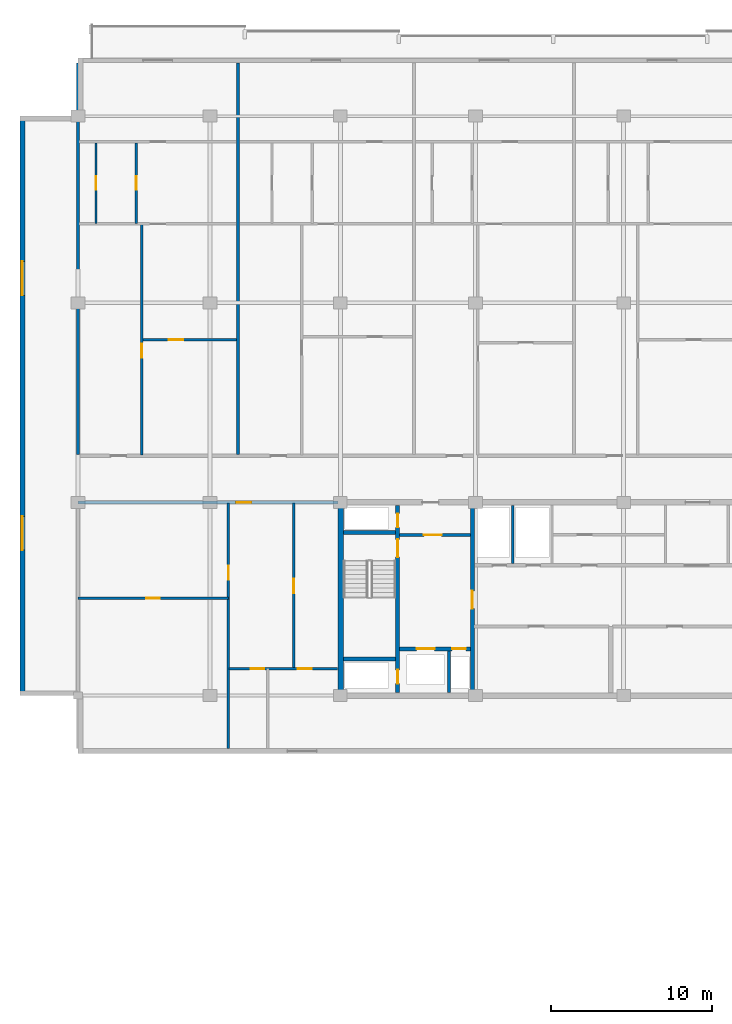
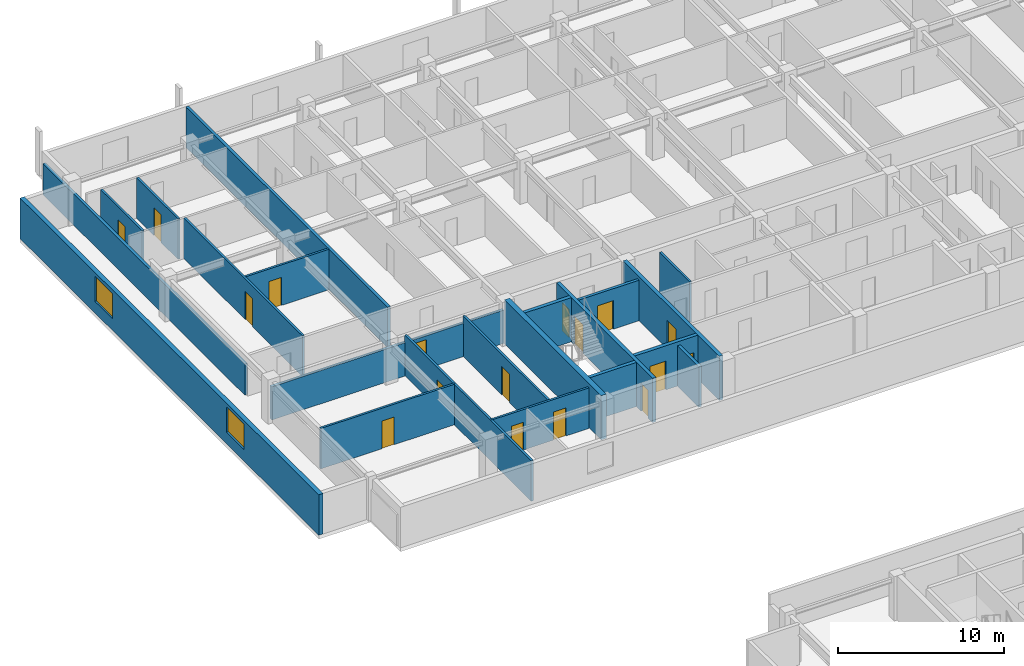
# One storey, part 8 of 17: 21 walls, 17 doors, 2 windows, 19 openings.
"""IFC4 building model written with IfcOpenShell, lengths in metres."""

from ifc_helpers import new_model, si_unit, direction, frame, frame_2d, origin, place, context, subcontext, project, spatial, rectangle, extrude, material, layer, layer_set, type_object, element, fill, save


model = new_model("IFC4")

# Units and contexts
model_context = context("Model", 3, precision=1e-05, world=origin(), true_north=direction((0.0, 1.0)))
body_context = subcontext(model_context, "Body", "Model", "MODEL_VIEW")
ifc_project = project(units=[si_unit("LENGTHUNIT", "METRE"), si_unit("AREAUNIT", "SQUARE_METRE"), si_unit("VOLUMEUNIT", "CUBIC_METRE"), si_unit("PLANEANGLEUNIT", "RADIAN"), si_unit("MASSUNIT", "GRAM", prefix="KILO")], contexts=[model_context])

# Site, building, storey
site_placement = place(None, origin())
site = spatial("IfcSite", under=ifc_project, at=site_placement, CompositionType="ELEMENT")
building_placement = place(site_placement, origin())
building = spatial("IfcBuilding", under=site, at=building_placement, Name="Korimba Cascade Residences", CompositionType="ELEMENT")
storey_placement = place(building_placement, frame((0.0, 0.0, 204.35009765625)))
storey = spatial("IfcBuildingStorey", under=building, at=storey_placement, Name="L59", CompositionType="ELEMENT", Elevation=204.35009765625)

# Wall, openings, windows
ifc_material_1 = material(Name="Precast concrete C40/50", Category="concrete")
ifc_layer_1 = layer(ifc_material_1, 0.300048828125)
ifc_layer_set_1 = layer_set([ifc_layer_1], Name="Precast concrete C40/50")
wall_type_1 = type_object("IfcWallType", Name="EW-STONE-300", PredefinedType="STANDARD", material=ifc_layer_set_1)
wall_1_placement = place(storey_placement, frame((56.35009765625, 91.199951171875, 0.0), z_axis=(0.0, 0.0, 1.0), x_axis=(0.0, -1.0, 0.0)))
wall_1 = element("IfcWall", 1, at=wall_1_placement, inside=storey, type_object=wall_type_1, Name="L59 T1 Perimeter Stone Wall E09", PredefinedType="STANDARD", context=body_context, shape_type="SweptSolid", body=[
    extrude(rectangle(XDim=36.0, YDim=0.300048828125, at=frame_2d((18.0, 0.0))), origin(), (0.0, 0.0, 1.0), 2.97998046875),
])
opening_1_placement = place(wall_1_placement, frame((9.030029296875, 0.0, 0.85009765625)))
opening_1 = element("IfcOpeningElement", 2, at=opening_1_placement, cuts=wall_1, Name="Opening W-03", PredefinedType="OPENING", context=body_context, shape_type="SweptSolid", body=[
    extrude(rectangle(XDim=2.10009765625, YDim=1.85009765625, at=frame_2d((1.050048828125, 0.925048828125))), frame((0.0, 0.16015625, 0.0), z_axis=(0.0, -1.0, 0.0), x_axis=(1.0, 0.0, 0.0)), (0.0, 0.0, 1.0), 0.320068359375),
])
opening_2_placement = place(wall_1_placement, frame((24.8701171875, 0.0, 0.85009765625)))
opening_2 = element("IfcOpeningElement", 3, at=opening_2_placement, cuts=wall_1, Name="Opening W-03", PredefinedType="OPENING", context=body_context, shape_type="SweptSolid", body=[
    extrude(rectangle(XDim=2.10009765625, YDim=1.85009765625, at=frame_2d((1.050048828125, 0.925048828125))), frame((0.0, 0.16015625, 0.0), z_axis=(0.0, -1.0, 0.0), x_axis=(1.0, 0.0, 0.0)), (0.0, 0.0, 1.0), 0.320068359375),
])
ifc_material_2 = material(Name="Double-Glazed Aluminium Window", Category="aluminium")
window_type = type_object("IfcWindowType", Name="WIN-CRN-2100", PartitioningType="DOUBLE_PANEL_HORIZONTAL", PredefinedType="WINDOW", material=ifc_material_2)
window_1_placement = place(opening_1_placement, origin())
window_1 = element("IfcWindow", 4, at=window_1_placement, inside=storey, type_object=window_type, Name="L59 T1 End View Window 9.1", OverallHeight=1.85009765625, OverallWidth=2.10009765625, PartitioningType="DOUBLE_PANEL_HORIZONTAL", PredefinedType="WINDOW", context=body_context, shape_type="SweptSolid", body=[
    extrude(rectangle(XDim=2.10009765625, YDim=1.85009765625, at=frame_2d((1.050048828125, 0.925048828125))), frame((0.0, 0.030029296875, 0.0), z_axis=(0.0, -1.0, 0.0), x_axis=(1.0, 0.0, 0.0)), (0.0, 0.0, 1.0), 0.06005859375),
])
fill(opening_1, window_1)
window_2_placement = place(opening_2_placement, origin())
window_2 = element("IfcWindow", 5, at=window_2_placement, inside=storey, type_object=window_type, Name="L59 T1 End View Window 9.2", OverallHeight=1.85009765625, OverallWidth=2.10009765625, PartitioningType="DOUBLE_PANEL_HORIZONTAL", PredefinedType="WINDOW", context=body_context, shape_type="SweptSolid", body=[
    extrude(rectangle(XDim=2.10009765625, YDim=1.85009765625, at=frame_2d((1.050048828125, 0.925048828125))), frame((0.0, 0.030029296875, 0.0), z_axis=(0.0, -1.0, 0.0), x_axis=(1.0, 0.0, 0.0)), (0.0, 0.0, 1.0), 0.06005859375),
])
fill(opening_2, window_2)

# Wall
ifc_material_3 = material(Name="Concrete C65/80", Category="concrete")
ifc_layer_2 = layer(ifc_material_3, 0.35009765625)
ifc_layer_set_2 = layer_set([ifc_layer_2], Name="Concrete C65/80")
wall_type_2 = type_object("IfcWallType", Name="WAL-CORE-350", PredefinedType="SHEAR", material=ifc_layer_set_2)
wall_2_placement = place(storey_placement, frame((76.125, 55.375, 0.0), z_axis=(0.0, 0.0, 1.0), x_axis=(0.0, 1.0, 0.0)))
element("IfcWall", 6, at=wall_2_placement, inside=storey, type_object=wall_type_2, Name="L59 Core Shear Wall CW-L59-T1-W", PredefinedType="SHEAR", context=body_context, shape_type="SweptSolid", body=[
    extrude(rectangle(XDim=11.64990234375, YDim=0.35009765625, at=frame_2d((5.824951171875, 0.0))), origin(), (0.0, 0.0, 1.0), 3.25),
])

# Wall, opening, door
ifc_layer_3 = layer(ifc_material_1, 0.199951171875)
ifc_layer_set_3 = layer_set([ifc_layer_3], Name="Precast concrete C40/50")
wall_type_3 = type_object("IfcWallType", Name="WAL-IT-200", PredefinedType="PARTITIONING", material=ifc_layer_set_3)
wall_3_placement = place(storey_placement, frame((59.800048828125, 67.199951171875, 0.0), z_axis=(0.0, 0.0, 1.0), x_axis=(1.0, 0.0, 0.0)))
wall_3 = element("IfcWall", 7, at=wall_3_placement, inside=storey, type_object=wall_type_3, Name="L59 Partition Wall WAL-L59-T1-FW-N", PredefinedType="PARTITIONING", context=body_context, shape_type="SweptSolid", body=[
    extrude(rectangle(XDim=16.14990234375, YDim=0.199951171875, at=frame_2d((8.074951171875, 0.0))), origin(), (0.0, 0.0, 1.0), 2.443115234375),
])
opening_3_placement = place(wall_3_placement, frame((9.823486328125, 0.0, 0.0)))
opening_3 = element("IfcOpeningElement", 8, at=opening_3_placement, cuts=wall_3, Name="Opening D-UN1", PredefinedType="OPENING", context=body_context, shape_type="SweptSolid", body=[
    extrude(rectangle(XDim=0.949951171875, YDim=2.14990234375, at=frame_2d((0.47509765625, 1.074951171875))), frame((0.0, 0.10986328125, 0.0), z_axis=(0.0, -1.0, 0.0), x_axis=(1.0, 0.0, 0.0)), (0.0, 0.0, 1.0), 0.219970703125),
])
ifc_material_4 = material(Name="Fire-Rated Hardwood Apartment Entrance Door", Category="wood")
door_type_1 = type_object("IfcDoorType", Name="DR-FD60-950", OperationType="NOTDEFINED", PredefinedType="DOOR", material=ifc_material_4)
door_1_placement = place(opening_3_placement, origin())
door_1 = element("IfcDoor", 9, at=door_1_placement, inside=storey, type_object=door_type_1, Name="L59-T1-FW Entrance Door", OperationType="SINGLE_SWING_RIGHT", OverallHeight=2.14990234375, OverallWidth=0.949951171875, PredefinedType="DOOR", context=body_context, shape_type="SweptSolid", body=[
    extrude(rectangle(XDim=0.949951171875, YDim=2.14990234375, at=frame_2d((0.47509765625, 1.074951171875))), frame((0.0, 0.02490234375, 0.0), z_axis=(0.0, -1.0, 0.0), x_axis=(1.0, 0.0, 0.0)), (0.0, 0.0, 1.0), 0.050048828125),
])
fill(opening_3, door_1)

# Walls
wall_4_placement = place(storey_placement, frame((59.800048828125, 70.179931640625, 0.0), z_axis=(0.0, 0.0, 1.0), x_axis=(0.0, 1.0, 0.0)))
element("IfcWall", 10, at=wall_4_placement, inside=storey, type_object=wall_type_3, Name="L59 Partition Wall WAL-L59-T1-BNDWL", PredefinedType="PARTITIONING", context=body_context, shape_type="SweptSolid", body=[
    extrude(rectangle(XDim=24.320068359375, YDim=0.199951171875, at=frame_2d((12.16015625, 0.0))), origin(), (0.0, 0.0, 1.0), 2.287109375),
])
wall_5_placement = place(storey_placement, frame((69.741943359375, 70.179931640625, 0.0), z_axis=(0.0, 0.0, 1.0), x_axis=(0.0, 1.0, 0.0)))
element("IfcWall", 11, at=wall_5_placement, inside=storey, type_object=wall_type_3, Name="L59 Partition Wall WAL-L59-T1-DEM-1", PredefinedType="PARTITIONING", context=body_context, shape_type="SweptSolid", body=[
    extrude(rectangle(XDim=24.320068359375, YDim=0.199951171875, at=frame_2d((12.16015625, 0.0))), origin(), (0.0, 0.0, 1.0), 2.97998046875),
])
ifc_material_5 = material(Name="Insulated Acoustic Stud Partition", Category="gypsum")
ifc_layer_4 = layer(ifc_material_5, 0.14990234375)
ifc_layer_set_4 = layer_set([ifc_layer_4], Name="Insulated Acoustic Stud Partition")
wall_type_4 = type_object("IfcWallType", Name="WAL-PART-150", PredefinedType="PARTITIONING", material=ifc_layer_set_4)
wall_6_placement = place(storey_placement, frame((86.800048828125, 63.39990234375, 0.0), z_axis=(0.0, 0.0, 1.0), x_axis=(0.0, 1.0, 0.0)))
element("IfcWall", 12, at=wall_6_placement, inside=storey, type_object=wall_type_4, Name="L59 Partition Wall CW-L59-T1-ERDIV", PredefinedType="PARTITIONING", context=body_context, shape_type="SweptSolid", body=[
    extrude(rectangle(XDim=3.60009765625, YDim=0.14990234375, at=frame_2d((1.800048828125, 0.0))), origin(), (0.0, 0.0, 1.0), 2.97998046875),
])

# Wall, opening, door
wall_7_placement = place(storey_placement, frame((59.800048828125, 61.25, 0.0), z_axis=(0.0, 0.0, 1.0), x_axis=(1.0, 0.0, 0.0)))
wall_7 = element("IfcWall", 13, at=wall_7_placement, inside=storey, type_object=wall_type_4, Name="L59 Partition Wall WAL-L59-T1-FW-STH", PredefinedType="PARTITIONING", context=body_context, shape_type="SweptSolid", body=[
    extrude(rectangle(XDim=9.349853515625, YDim=0.14990234375, at=frame_2d((4.6748046875, 0.0))), origin(), (0.0, 0.0, 1.0), 2.97998046875),
])
opening_4_placement = place(wall_7_placement, frame((4.2548828125, 0.0, 0.0)))
opening_4 = element("IfcOpeningElement", 14, at=opening_4_placement, cuts=wall_7, Name="Opening D-BT1", PredefinedType="OPENING", context=body_context, shape_type="SweptSolid", body=[
    extrude(rectangle(XDim=0.840087890625, YDim=2.0400390625, at=frame_2d((0.419921875, 1.02001953125))), frame((0.0, 0.0849609375, 0.0), z_axis=(0.0, -1.0, 0.0), x_axis=(1.0, 0.0, 0.0)), (0.0, 0.0, 1.0), 0.169921875),
])
ifc_material_6 = material(Name="Moisture-Resistant Bathroom Timber Door", Category="wood")
door_type_2 = type_object("IfcDoorType", Name="DR-INT-850", OperationType="NOTDEFINED", PredefinedType="DOOR", material=ifc_material_6)
door_2_placement = place(opening_4_placement, origin())
door_2 = element("IfcDoor", 15, at=door_2_placement, inside=storey, type_object=door_type_2, Name="L59-T1-FW Dressing Store Door", OperationType="SINGLE_SWING_LEFT", OverallHeight=2.0400390625, OverallWidth=0.840087890625, PredefinedType="DOOR", context=body_context, shape_type="SweptSolid", body=[
    extrude(rectangle(XDim=0.840087890625, YDim=2.0400390625, at=frame_2d((0.419921875, 1.02001953125))), frame((0.0, 0.02490234375, 0.0), z_axis=(0.0, -1.0, 0.0), x_axis=(1.0, 0.0, 0.0)), (0.0, 0.0, 1.0), 0.050048828125),
])
fill(opening_4, door_2)

wall_8_placement = place(storey_placement, frame((69.14990234375, 51.89990234375, 0.0), z_axis=(0.0, 0.0, 1.0), x_axis=(0.0, 1.0, 0.0)))
wall_8 = element("IfcWall", 16, at=wall_8_placement, inside=storey, type_object=wall_type_4, Name="L59 Partition Wall WAL-L59-T1-FW-STV", PredefinedType="PARTITIONING", context=body_context, shape_type="SweptSolid", body=[
    extrude(rectangle(XDim=15.25, YDim=0.14990234375, at=frame_2d((7.625, 0.0))), origin(), (0.0, 0.0, 1.0), 2.97998046875),
])
opening_5_placement = place(wall_8_placement, frame((10.5, 0.0, 0.0)))
opening_5 = element("IfcOpeningElement", 17, at=opening_5_placement, cuts=wall_8, Name="Opening D-IN2", PredefinedType="OPENING", context=body_context, shape_type="SweptSolid", body=[
    extrude(rectangle(XDim=0.8798828125, YDim=2.06005859375, at=frame_2d((0.43994140625, 1.030029296875))), frame((0.0, 0.0849609375, 0.0), z_axis=(0.0, -1.0, 0.0), x_axis=(1.0, 0.0, 0.0)), (0.0, 0.0, 1.0), 0.169921875),
])
ifc_material_7 = material(Name="Acoustic Timber Bedroom Door", Category="wood")
door_type_3 = type_object("IfcDoorType", Name="DR-INT-880", OperationType="NOTDEFINED", PredefinedType="DOOR", material=ifc_material_7)
door_3_placement = place(opening_5_placement, origin())
door_3 = element("IfcDoor", 18, at=door_3_placement, inside=storey, type_object=door_type_3, Name="L59-T1-FW Study Door", OperationType="SINGLE_SWING_RIGHT", OverallHeight=2.06005859375, OverallWidth=0.8798828125, PredefinedType="DOOR", context=body_context, shape_type="SweptSolid", body=[
    extrude(rectangle(XDim=0.8798828125, YDim=2.06005859375, at=frame_2d((0.43994140625, 1.030029296875))), frame((0.0, 0.02490234375, 0.0), z_axis=(0.0, -1.0, 0.0), x_axis=(1.0, 0.0, 0.0)), (0.0, 0.0, 1.0), 0.050048828125),
])
fill(opening_5, door_3)

wall_9_placement = place(storey_placement, frame((73.199951171875, 56.8701171875, 0.0), z_axis=(0.0, 0.0, 1.0), x_axis=(0.0, 1.0, 0.0)))
wall_9 = element("IfcWall", 19, at=wall_9_placement, inside=storey, type_object=wall_type_4, Name="L59 Partition Wall WAL-L59-T1-FW-VN", PredefinedType="PARTITIONING", context=body_context, shape_type="SweptSolid", body=[
    extrude(rectangle(XDim=10.27978515625, YDim=0.14990234375, at=frame_2d((5.139892578125, 0.0))), origin(), (0.0, 0.0, 1.0), 2.97998046875),
])
opening_6_placement = place(wall_9_placement, frame((4.679931640625, 0.0, 0.0)))
opening_6 = element("IfcOpeningElement", 20, at=opening_6_placement, cuts=wall_9, Name="Opening D-IN1", PredefinedType="OPENING", context=body_context, shape_type="SweptSolid", body=[
    extrude(rectangle(XDim=0.919921875, YDim=2.080078125, at=frame_2d((0.4599609375, 1.0400390625))), frame((0.0, 0.0849609375, 0.0), z_axis=(0.0, -1.0, 0.0), x_axis=(1.0, 0.0, 0.0)), (0.0, 0.0, 1.0), 0.169921875),
])
ifc_material_8 = material(Name="Acoustic Timber Living Door", Category="wood")
door_type_4 = type_object("IfcDoorType", Name="DR-INT-920", OperationType="NOTDEFINED", PredefinedType="DOOR", material=ifc_material_8)
door_4_placement = place(opening_6_placement, origin())
door_4 = element("IfcDoor", 21, at=door_4_placement, inside=storey, type_object=door_type_4, Name="L59-T1-FW Living Door", OperationType="SINGLE_SWING_LEFT", OverallHeight=2.080078125, OverallWidth=0.919921875, PredefinedType="DOOR", context=body_context, shape_type="SweptSolid", body=[
    extrude(rectangle(XDim=0.919921875, YDim=2.080078125, at=frame_2d((0.4599609375, 1.0400390625))), frame((0.0, 0.02490234375, 0.0), z_axis=(0.0, -1.0, 0.0), x_axis=(1.0, 0.0, 0.0)), (0.0, 0.0, 1.0), 0.050048828125),
])
fill(opening_6, door_4)

# Wall, openings, doors
wall_10_placement = place(storey_placement, frame((69.169921875, 56.8701171875, 0.0), z_axis=(0.0, 0.0, 1.0), x_axis=(1.0, 0.0, 0.0)))
wall_10 = element("IfcWall", 22, at=wall_10_placement, inside=storey, type_object=wall_type_4, Name="L59 Partition Wall WAL-L59-T1-FW-H", PredefinedType="PARTITIONING", context=body_context, shape_type="SweptSolid", body=[
    extrude(rectangle(XDim=6.760009765625, YDim=0.14990234375, at=frame_2d((3.3798828125, 0.0))), origin(), (0.0, 0.0, 1.0), 2.97998046875),
])
opening_7_placement = place(wall_10_placement, frame((1.3623046875, 0.0, 0.0)))
opening_7 = element("IfcOpeningElement", 23, at=opening_7_placement, cuts=wall_10, Name="Opening D-BT1", PredefinedType="OPENING", context=body_context, shape_type="SweptSolid", body=[
    extrude(rectangle(XDim=0.840087890625, YDim=2.0400390625, at=frame_2d((0.419921875, 1.02001953125))), frame((0.0, 0.0849609375, 0.0), z_axis=(0.0, -1.0, 0.0), x_axis=(1.0, 0.0, 0.0)), (0.0, 0.0, 1.0), 0.169921875),
])
opening_8_placement = place(wall_10_placement, frame((4.276611328125, 0.0, 0.0)))
opening_8 = element("IfcOpeningElement", 24, at=opening_8_placement, cuts=wall_10, Name="Opening D-IN2", PredefinedType="OPENING", context=body_context, shape_type="SweptSolid", body=[
    extrude(rectangle(XDim=0.8798828125, YDim=2.06005859375, at=frame_2d((0.43994140625, 1.030029296875))), frame((0.0, 0.0849609375, 0.0), z_axis=(0.0, -1.0, 0.0), x_axis=(1.0, 0.0, 0.0)), (0.0, 0.0, 1.0), 0.169921875),
])
door_5_placement = place(opening_7_placement, origin())
door_5 = element("IfcDoor", 25, at=door_5_placement, inside=storey, type_object=door_type_2, Name="L59-T1-FW Bathroom Door", OperationType="SINGLE_SWING_RIGHT", OverallHeight=2.0400390625, OverallWidth=0.840087890625, PredefinedType="DOOR", context=body_context, shape_type="SweptSolid", body=[
    extrude(rectangle(XDim=0.840087890625, YDim=2.0400390625, at=frame_2d((0.419921875, 1.02001953125))), frame((0.0, 0.02490234375, 0.0), z_axis=(0.0, -1.0, 0.0), x_axis=(1.0, 0.0, 0.0)), (0.0, 0.0, 1.0), 0.050048828125),
])
fill(opening_7, door_5)
door_6_placement = place(opening_8_placement, origin())
door_6 = element("IfcDoor", 26, at=door_6_placement, inside=storey, type_object=door_type_3, Name="L59-T1-FW Bedroom Door", OperationType="SINGLE_SWING_LEFT", OverallHeight=2.06005859375, OverallWidth=0.8798828125, PredefinedType="DOOR", context=body_context, shape_type="SweptSolid", body=[
    extrude(rectangle(XDim=0.8798828125, YDim=2.06005859375, at=frame_2d((0.43994140625, 1.030029296875))), frame((0.0, 0.02490234375, 0.0), z_axis=(0.0, -1.0, 0.0), x_axis=(1.0, 0.0, 0.0)), (0.0, 0.0, 1.0), 0.050048828125),
])
fill(opening_8, door_6)

# Wall, opening, door
wall_11_placement = place(storey_placement, frame((63.830078125, 77.31005859375, 0.0), z_axis=(0.0, 0.0, 1.0), x_axis=(1.0, 0.0, 0.0)))
wall_11 = element("IfcWall", 27, at=wall_11_placement, inside=storey, type_object=wall_type_4, Name="L59 Partition Wall WAL-L59-T1-U01-FMH", PredefinedType="PARTITIONING", context=body_context, shape_type="SweptSolid", body=[
    extrude(rectangle(XDim=5.83203125, YDim=0.14990234375, at=frame_2d((2.916015625, 0.0))), origin(), (0.0, 0.0, 1.0), 2.97998046875),
])
opening_9_placement = place(wall_11_placement, frame((1.62548828125, 0.0, 0.0)))
opening_9 = element("IfcOpeningElement", 28, at=opening_9_placement, cuts=wall_11, Name="Opening D-IN2", PredefinedType="OPENING", context=body_context, shape_type="SweptSolid", body=[
    extrude(rectangle(XDim=0.8798828125, YDim=2.06005859375, at=frame_2d((0.43994140625, 1.030029296875))), frame((0.0, 0.0849609375, 0.0), z_axis=(0.0, -1.0, 0.0), x_axis=(1.0, 0.0, 0.0)), (0.0, 0.0, 1.0), 0.169921875),
])
door_7_placement = place(opening_9_placement, origin())
door_7 = element("IfcDoor", 29, at=door_7_placement, inside=storey, type_object=door_type_3, Name="L59-T1-U01 Library Salon Door", OperationType="SINGLE_SWING_LEFT", OverallHeight=2.06005859375, OverallWidth=0.8798828125, PredefinedType="DOOR", context=body_context, shape_type="SweptSolid", body=[
    extrude(rectangle(XDim=0.8798828125, YDim=2.06005859375, at=frame_2d((0.43994140625, 1.030029296875))), frame((0.0, 0.02490234375, 0.0), z_axis=(0.0, -1.0, 0.0), x_axis=(1.0, 0.0, 0.0)), (0.0, 0.0, 1.0), 0.050048828125),
])
fill(opening_9, door_7)

wall_12_placement = place(storey_placement, frame((63.77001953125, 70.159912109375, 0.0), z_axis=(0.0, 0.0, 1.0), x_axis=(0.0, 1.0, 0.0)))
wall_12 = element("IfcWall", 30, at=wall_12_placement, inside=storey, type_object=wall_type_4, Name="L59 Partition Wall WAL-L59-T1-U01-FV", PredefinedType="PARTITIONING", context=body_context, shape_type="SweptSolid", body=[
    extrude(rectangle(XDim=14.300048828125, YDim=0.14990234375, at=frame_2d((7.14990234375, 0.0))), origin(), (0.0, 0.0, 1.0), 2.97998046875),
])
opening_10_placement = place(wall_12_placement, frame((6.02001953125, 0.0, 0.0)))
opening_10 = element("IfcOpeningElement", 31, at=opening_10_placement, cuts=wall_12, Name="Opening D-IN2", PredefinedType="OPENING", context=body_context, shape_type="SweptSolid", body=[
    extrude(rectangle(XDim=0.8798828125, YDim=2.06005859375, at=frame_2d((0.43994140625, 1.030029296875))), frame((0.0, 0.0849609375, 0.0), z_axis=(0.0, -1.0, 0.0), x_axis=(1.0, 0.0, 0.0)), (0.0, 0.0, 1.0), 0.169921875),
])
door_8_placement = place(opening_10_placement, origin())
door_8 = element("IfcDoor", 32, at=door_8_placement, inside=storey, type_object=door_type_3, Name="L59-T1-U01 Media Lounge Door", OperationType="SINGLE_SWING_RIGHT", OverallHeight=2.06005859375, OverallWidth=0.8798828125, PredefinedType="DOOR", context=body_context, shape_type="SweptSolid", body=[
    extrude(rectangle(XDim=0.8798828125, YDim=2.06005859375, at=frame_2d((0.43994140625, 1.030029296875))), frame((0.0, 0.02490234375, 0.0), z_axis=(0.0, -1.0, 0.0), x_axis=(1.0, 0.0, 0.0)), (0.0, 0.0, 1.0), 0.050048828125),
])
fill(opening_10, door_8)

wall_13_placement = place(storey_placement, frame((60.922119140625, 84.5400390625, 0.0), z_axis=(0.0, 0.0, 1.0), x_axis=(0.0, 1.0, 0.0)))
wall_13 = element("IfcWall", 33, at=wall_13_placement, inside=storey, type_object=wall_type_4, Name="L59 Partition Wall WAL-L59-T1-U01-CLS", PredefinedType="PARTITIONING", context=body_context, shape_type="SweptSolid", body=[
    extrude(rectangle(XDim=5.0, YDim=0.14990234375, at=frame_2d((2.5, 0.0))), origin(), (0.0, 0.0, 1.0), 2.97998046875),
])
opening_11_placement = place(wall_13_placement, frame((2.080078125, 0.0, 0.0)))
opening_11 = element("IfcOpeningElement", 34, at=opening_11_placement, cuts=wall_13, Name="Opening D-BT1", PredefinedType="OPENING", context=body_context, shape_type="SweptSolid", body=[
    extrude(rectangle(XDim=0.840087890625, YDim=2.0400390625, at=frame_2d((0.419921875, 1.02001953125))), frame((0.0, 0.0849609375, 0.0), z_axis=(0.0, -1.0, 0.0), x_axis=(1.0, 0.0, 0.0)), (0.0, 0.0, 1.0), 0.169921875),
])
door_9_placement = place(opening_11_placement, origin())
door_9 = element("IfcDoor", 35, at=door_9_placement, inside=storey, type_object=door_type_2, Name="L59-T1-U01 Closet Door", OperationType="SINGLE_SWING_LEFT", OverallHeight=2.0400390625, OverallWidth=0.840087890625, PredefinedType="DOOR", context=body_context, shape_type="SweptSolid", body=[
    extrude(rectangle(XDim=0.840087890625, YDim=2.0400390625, at=frame_2d((0.419921875, 1.02001953125))), frame((0.0, 0.02490234375, 0.0), z_axis=(0.0, -1.0, 0.0), x_axis=(1.0, 0.0, 0.0)), (0.0, 0.0, 1.0), 0.050048828125),
])
fill(opening_11, door_9)

wall_14_placement = place(storey_placement, frame((63.422119140625, 84.5400390625, 0.0), z_axis=(0.0, 0.0, 1.0), x_axis=(0.0, 1.0, 0.0)))
wall_14 = element("IfcWall", 36, at=wall_14_placement, inside=storey, type_object=wall_type_4, Name="L59 Partition Wall WAL-L59-T1-U01-BM", PredefinedType="PARTITIONING", context=body_context, shape_type="SweptSolid", body=[
    extrude(rectangle(XDim=5.0, YDim=0.14990234375, at=frame_2d((2.5, 0.0))), origin(), (0.0, 0.0, 1.0), 2.97998046875),
])
opening_12_placement = place(wall_14_placement, frame((2.080078125, 0.0, 0.0)))
opening_12 = element("IfcOpeningElement", 37, at=opening_12_placement, cuts=wall_14, Name="Opening D-BT1", PredefinedType="OPENING", context=body_context, shape_type="SweptSolid", body=[
    extrude(rectangle(XDim=0.840087890625, YDim=2.0400390625, at=frame_2d((0.419921875, 1.02001953125))), frame((0.0, 0.0849609375, 0.0), z_axis=(0.0, -1.0, 0.0), x_axis=(1.0, 0.0, 0.0)), (0.0, 0.0, 1.0), 0.169921875),
])
door_10_placement = place(opening_12_placement, origin())
door_10 = element("IfcDoor", 38, at=door_10_placement, inside=storey, type_object=door_type_2, Name="L59-T1-U01 Bathroom Door", OperationType="SINGLE_SWING_RIGHT", OverallHeight=2.0400390625, OverallWidth=0.840087890625, PredefinedType="DOOR", context=body_context, shape_type="SweptSolid", body=[
    extrude(rectangle(XDim=0.840087890625, YDim=2.0400390625, at=frame_2d((0.419921875, 1.02001953125))), frame((0.0, 0.02490234375, 0.0), z_axis=(0.0, -1.0, 0.0), x_axis=(1.0, 0.0, 0.0)), (0.0, 0.0, 1.0), 0.050048828125),
])
fill(opening_12, door_10)

# Wall
ifc_material_9 = material(Name="Concrete C40/50", Category="concrete")
ifc_layer_5 = layer(ifc_material_9, 0.199951171875)
ifc_layer_set_5 = layer_set([ifc_layer_5], Name="Concrete C40/50")
wall_type_5 = type_object("IfcWallType", Name="WAL-PART-200", PredefinedType="PARTITIONING", material=ifc_layer_set_5)
wall_15_placement = place(storey_placement, frame((82.85009765625, 55.39990234375, 0.0), z_axis=(0.0, 0.0, 1.0), x_axis=(0.0, 1.0, 0.0)))
element("IfcWall", 39, at=wall_15_placement, inside=storey, type_object=wall_type_5, Name="L59 Partition Wall CW-L59-T1-FFLDIV", PredefinedType="PARTITIONING", context=body_context, shape_type="SweptSolid", body=[
    extrude(rectangle(XDim=2.56005859375, YDim=0.199951171875, at=frame_2d((1.280029296875, 0.0))), origin(), (0.0, 0.0, 1.0), 2.97998046875),
])

# Wall, opening, door
wall_16_placement = place(storey_placement, frame((79.7900390625, 65.179931640625, 0.0), z_axis=(0.0, 0.0, 1.0), x_axis=(1.0, 0.0, 0.0)))
wall_16 = element("IfcWall", 40, at=wall_16_placement, inside=storey, type_object=wall_type_5, Name="L59 Partition Wall CW-L59-T1-FFLN", PredefinedType="PARTITIONING", context=body_context, shape_type="SweptSolid", body=[
    extrude(rectangle(XDim=4.389892578125, YDim=0.199951171875, at=frame_2d((2.19482421875, 0.0))), origin(), (0.0, 0.0, 1.0), 2.97998046875),
])
opening_13_placement = place(wall_16_placement, frame((1.5, 0.0, 0.0)))
opening_13 = element("IfcOpeningElement", 41, at=opening_13_placement, cuts=wall_16, Name="Opening D-FD1", PredefinedType="OPENING", context=body_context, shape_type="SweptSolid", body=[
    extrude(rectangle(XDim=1.10009765625, YDim=2.10009765625, at=frame_2d((0.550048828125, 1.050048828125))), frame((0.0, 0.10986328125, 0.0), z_axis=(0.0, -1.0, 0.0), x_axis=(1.0, 0.0, 0.0)), (0.0, 0.0, 1.0), 0.219970703125),
])
ifc_material_10 = material(Name="Fire-Rated Steel Core Door", Category="steel")
door_type_5 = type_object("IfcDoorType", Name="DR-FD120-1100", OperationType="NOTDEFINED", PredefinedType="DOOR", material=ifc_material_10)
door_11_placement = place(opening_13_placement, origin())
door_11 = element("IfcDoor", 42, at=door_11_placement, inside=storey, type_object=door_type_5, Name="L59 West Firefighting Lobby Door", OperationType="SINGLE_SWING_RIGHT", OverallHeight=2.10009765625, OverallWidth=1.10009765625, PredefinedType="DOOR", context=body_context, shape_type="SweptSolid", body=[
    extrude(rectangle(XDim=1.10009765625, YDim=2.10009765625, at=frame_2d((0.550048828125, 1.050048828125))), frame((0.0, 0.02490234375, 0.0), z_axis=(0.0, -1.0, 0.0), x_axis=(1.0, 0.0, 0.0)), (0.0, 0.0, 1.0), 0.050048828125),
])
fill(opening_13, door_11)

# Wall, openings, doors
ifc_material_11 = material(Name="Concrete C50/60", Category="concrete")
ifc_layer_6 = layer(ifc_material_11, 0.25)
ifc_layer_set_6 = layer_set([ifc_layer_6], Name="Concrete C50/60")
wall_type_6 = type_object("IfcWallType", Name="WAL-SHAFT-250", PredefinedType="SHEAR", material=ifc_layer_set_6)
wall_17_placement = place(storey_placement, frame((79.6650390625, 55.39990234375, 0.0), z_axis=(0.0, 0.0, 1.0), x_axis=(0.0, 1.0, 0.0)))
wall_17 = element("IfcWall", 43, at=wall_17_placement, inside=storey, type_object=wall_type_6, Name="L59 Core Shear Wall CW-L59-T1-STW1E", PredefinedType="SHEAR", context=body_context, shape_type="SweptSolid", body=[
    extrude(rectangle(XDim=11.60009765625, YDim=0.25, at=frame_2d((5.800048828125, 0.0))), origin(), (0.0, 0.0, 1.0), 3.25),
])
opening_14_placement = place(wall_17_placement, frame((0.550048828125, 0.0, 0.0)))
opening_14 = element("IfcOpeningElement", 44, at=opening_14_placement, cuts=wall_17, Name="Opening D-RS1", PredefinedType="OPENING", context=body_context, shape_type="SweptSolid", body=[
    extrude(rectangle(XDim=0.85009765625, YDim=2.050048828125, at=frame_2d((0.425048828125, 1.02490234375))), frame((0.0, 0.135009765625, 0.0), z_axis=(0.0, -1.0, 0.0), x_axis=(1.0, 0.0, 0.0)), (0.0, 0.0, 1.0), 0.27001953125),
])
opening_15_placement = place(wall_17_placement, frame((8.39990234375, 0.0, 0.0)))
opening_15 = element("IfcOpeningElement", 45, at=opening_15_placement, cuts=wall_17, Name="Opening D-FD1", PredefinedType="OPENING", context=body_context, shape_type="SweptSolid", body=[
    extrude(rectangle(XDim=1.10009765625, YDim=2.10009765625, at=frame_2d((0.550048828125, 1.050048828125))), frame((0.0, 0.135009765625, 0.0), z_axis=(0.0, -1.0, 0.0), x_axis=(1.0, 0.0, 0.0)), (0.0, 0.0, 1.0), 0.27001953125),
])
opening_16_placement = place(wall_17_placement, frame((10.25, 0.0, 0.0)))
opening_16 = element("IfcOpeningElement", 46, at=opening_16_placement, cuts=wall_17, Name="Opening D-RS1", PredefinedType="OPENING", context=body_context, shape_type="SweptSolid", body=[
    extrude(rectangle(XDim=0.85009765625, YDim=2.050048828125, at=frame_2d((0.425048828125, 1.02490234375))), frame((0.0, 0.135009765625, 0.0), z_axis=(0.0, -1.0, 0.0), x_axis=(1.0, 0.0, 0.0)), (0.0, 0.0, 1.0), 0.27001953125),
])
door_12_placement = place(opening_15_placement, origin())
door_12 = element("IfcDoor", 47, at=door_12_placement, inside=storey, type_object=door_type_5, Name="L59 Fire Stair ST-W1 Door", OperationType="SINGLE_SWING_LEFT", OverallHeight=2.10009765625, OverallWidth=1.10009765625, PredefinedType="DOOR", context=body_context, shape_type="SweptSolid", body=[
    extrude(rectangle(XDim=1.10009765625, YDim=2.10009765625, at=frame_2d((0.550048828125, 1.050048828125))), frame((0.0, 0.02490234375, 0.0), z_axis=(0.0, -1.0, 0.0), x_axis=(1.0, 0.0, 0.0)), (0.0, 0.0, 1.0), 0.050048828125),
])
fill(opening_15, door_12)
ifc_material_12 = material(Name="Fire-Rated Steel Riser Access Door", Category="steel")
door_type_6 = type_object("IfcDoorType", Name="DR-FD60-850", OperationType="NOTDEFINED", PredefinedType="DOOR", material=ifc_material_12)
door_13_placement = place(opening_14_placement, origin())
door_13 = element("IfcDoor", 48, at=door_13_placement, inside=storey, type_object=door_type_6, Name="L59 Smoke Riser Access Door", OperationType="SINGLE_SWING_RIGHT", OverallHeight=2.050048828125, OverallWidth=0.85009765625, PredefinedType="DOOR", context=body_context, shape_type="SweptSolid", body=[
    extrude(rectangle(XDim=0.85009765625, YDim=2.050048828125, at=frame_2d((0.425048828125, 1.02490234375))), frame((0.0, 0.02490234375, 0.0), z_axis=(0.0, -1.0, 0.0), x_axis=(1.0, 0.0, 0.0)), (0.0, 0.0, 1.0), 0.050048828125),
])
fill(opening_14, door_13)
door_14_placement = place(opening_16_placement, origin())
door_14 = element("IfcDoor", 49, at=door_14_placement, inside=storey, type_object=door_type_6, Name="L59 Hydrant Riser Access Door", OperationType="SINGLE_SWING_RIGHT", OverallHeight=2.050048828125, OverallWidth=0.85009765625, PredefinedType="DOOR", context=body_context, shape_type="SweptSolid", body=[
    extrude(rectangle(XDim=0.85009765625, YDim=2.050048828125, at=frame_2d((0.425048828125, 1.02490234375))), frame((0.0, 0.02490234375, 0.0), z_axis=(0.0, -1.0, 0.0), x_axis=(1.0, 0.0, 0.0)), (0.0, 0.0, 1.0), 0.050048828125),
])
fill(opening_16, door_14)

# Walls
for number, where, z_axis, x_axis, name in (
    (50, (76.300048828125, 57.47509765625, 0.0), (0.0, 0.0, 1.0), (1.0, 0.0, 0.0), "L59 Core Shear Wall CW-L59-T1-STW1S"),
    (51, (76.300048828125, 65.324951171875, 0.0), (0.0, 0.0, 1.0), (1.0, 0.0, 0.0), "L59 Core Shear Wall CW-L59-T1-STW1N"),
):
    element("IfcWall", number, at=place(storey_placement, frame(where, z_axis=z_axis, x_axis=x_axis)), inside=storey, type_object=wall_type_6, Name=name, PredefinedType="SHEAR", context=body_context, shape_type="SweptSolid", body=[
        extrude(rectangle(XDim=3.239990234375, YDim=0.25, at=frame_2d((1.6201171875, 0.0))), origin(), (0.0, 0.0, 1.0), 3.25),
    ])

# Wall, openings, doors
wall_18_placement = place(storey_placement, frame((79.7900390625, 58.10009765625, 0.0), z_axis=(0.0, 0.0, 1.0), x_axis=(1.0, 0.0, 0.0)))
wall_18 = element("IfcWall", 52, at=wall_18_placement, inside=storey, type_object=wall_type_6, Name="L59 Core Shear Wall CW-L59-T1-FFLS", PredefinedType="SHEAR", context=body_context, shape_type="SweptSolid", body=[
    extrude(rectangle(XDim=4.389892578125, YDim=0.25, at=frame_2d((2.19482421875, 0.0))), origin(), (0.0, 0.0, 1.0), 3.25),
])
opening_17_placement = place(wall_18_placement, frame((1.050048828125, 0.0, 0.0)))
opening_17 = element("IfcOpeningElement", 53, at=opening_17_placement, cuts=wall_18, Name="Opening LD-01", PredefinedType="OPENING", context=body_context, shape_type="SweptSolid", body=[
    extrude(rectangle(XDim=1.1201171875, YDim=2.1201171875, at=frame_2d((0.56005859375, 1.06005859375))), frame((0.0, 0.135009765625, 0.0), z_axis=(0.0, -1.0, 0.0), x_axis=(1.0, 0.0, 0.0)), (0.0, 0.0, 1.0), 0.27001953125),
])
opening_18_placement = place(wall_18_placement, frame((3.260009765625, 0.0, 0.0)))
opening_18 = element("IfcOpeningElement", 54, at=opening_18_placement, cuts=wall_18, Name="Opening D-RS1", PredefinedType="OPENING", context=body_context, shape_type="SweptSolid", body=[
    extrude(rectangle(XDim=0.85009765625, YDim=2.050048828125, at=frame_2d((0.425048828125, 1.02490234375))), frame((0.0, 0.135009765625, 0.0), z_axis=(0.0, -1.0, 0.0), x_axis=(1.0, 0.0, 0.0)), (0.0, 0.0, 1.0), 0.27001953125),
])
door_15_placement = place(opening_18_placement, origin())
door_15 = element("IfcDoor", 55, at=door_15_placement, inside=storey, type_object=door_type_6, Name="L59 Pressurisation Riser Door", OperationType="SINGLE_SWING_LEFT", OverallHeight=2.050048828125, OverallWidth=0.85009765625, PredefinedType="DOOR", context=body_context, shape_type="SweptSolid", body=[
    extrude(rectangle(XDim=0.85009765625, YDim=2.050048828125, at=frame_2d((0.425048828125, 1.02490234375))), frame((0.0, 0.02490234375, 0.0), z_axis=(0.0, -1.0, 0.0), x_axis=(1.0, 0.0, 0.0)), (0.0, 0.0, 1.0), 0.050048828125),
])
fill(opening_18, door_15)
ifc_material_13 = material(Name="Stainless Steel Lift Landing Sliding Door", Category="steel")
door_type_7 = type_object("IfcDoorType", Name="DR-LIFT-1100", OperationType="NOTDEFINED", PredefinedType="DOOR", material=ifc_material_13)
door_16_placement = place(opening_17_placement, origin())
door_16 = element("IfcDoor", 56, at=door_16_placement, inside=storey, type_object=door_type_7, Name="L59 Firefighting Lift Landing Door FFL-W1", OperationType="SLIDING_TO_LEFT", OverallHeight=2.1201171875, OverallWidth=1.1201171875, PredefinedType="DOOR", context=body_context, shape_type="SweptSolid", body=[
    extrude(rectangle(XDim=1.1201171875, YDim=2.1201171875, at=frame_2d((0.56005859375, 1.06005859375))), frame((0.0, 0.02490234375, 0.0), z_axis=(0.0, -1.0, 0.0), x_axis=(1.0, 0.0, 0.0)), (0.0, 0.0, 1.0), 0.050048828125),
])
fill(opening_17, door_16)

# Wall, opening, door
wall_19_placement = place(storey_placement, frame((84.300048828125, 55.39990234375, 0.0), z_axis=(0.0, 0.0, 1.0), x_axis=(0.0, 1.0, 0.0)))
wall_19 = element("IfcWall", 57, at=wall_19_placement, inside=storey, type_object=wall_type_6, Name="L59 Core Shear Wall CW-L59-T1-FFLE", PredefinedType="SHEAR", context=body_context, shape_type="SweptSolid", body=[
    extrude(rectangle(XDim=11.60009765625, YDim=0.25, at=frame_2d((5.800048828125, 0.0))), origin(), (0.0, 0.0, 1.0), 3.25),
])
opening_19_placement = place(wall_19_placement, frame((5.199951171875, 0.0, 0.0)))
opening_19 = element("IfcOpeningElement", 58, at=opening_19_placement, cuts=wall_19, Name="Opening D-FD1", PredefinedType="OPENING", context=body_context, shape_type="SweptSolid", body=[
    extrude(rectangle(XDim=1.10009765625, YDim=2.10009765625, at=frame_2d((0.550048828125, 1.050048828125))), frame((0.0, 0.135009765625, 0.0), z_axis=(0.0, -1.0, 0.0), x_axis=(1.0, 0.0, 0.0)), (0.0, 0.0, 1.0), 0.27001953125),
])
door_17_placement = place(opening_19_placement, origin())
door_17 = element("IfcDoor", 59, at=door_17_placement, inside=storey, type_object=door_type_5, Name="L59 Firefighting Lobby to Lift Lobby Door", OperationType="SINGLE_SWING_LEFT", OverallHeight=2.10009765625, OverallWidth=1.10009765625, PredefinedType="DOOR", context=body_context, shape_type="SweptSolid", body=[
    extrude(rectangle(XDim=1.10009765625, YDim=2.10009765625, at=frame_2d((0.550048828125, 1.050048828125))), frame((0.0, 0.02490234375, 0.0), z_axis=(0.0, -1.0, 0.0), x_axis=(1.0, 0.0, 0.0)), (0.0, 0.0, 1.0), 0.050048828125),
])
fill(opening_19, door_17)

save(model, "model.ifc")
